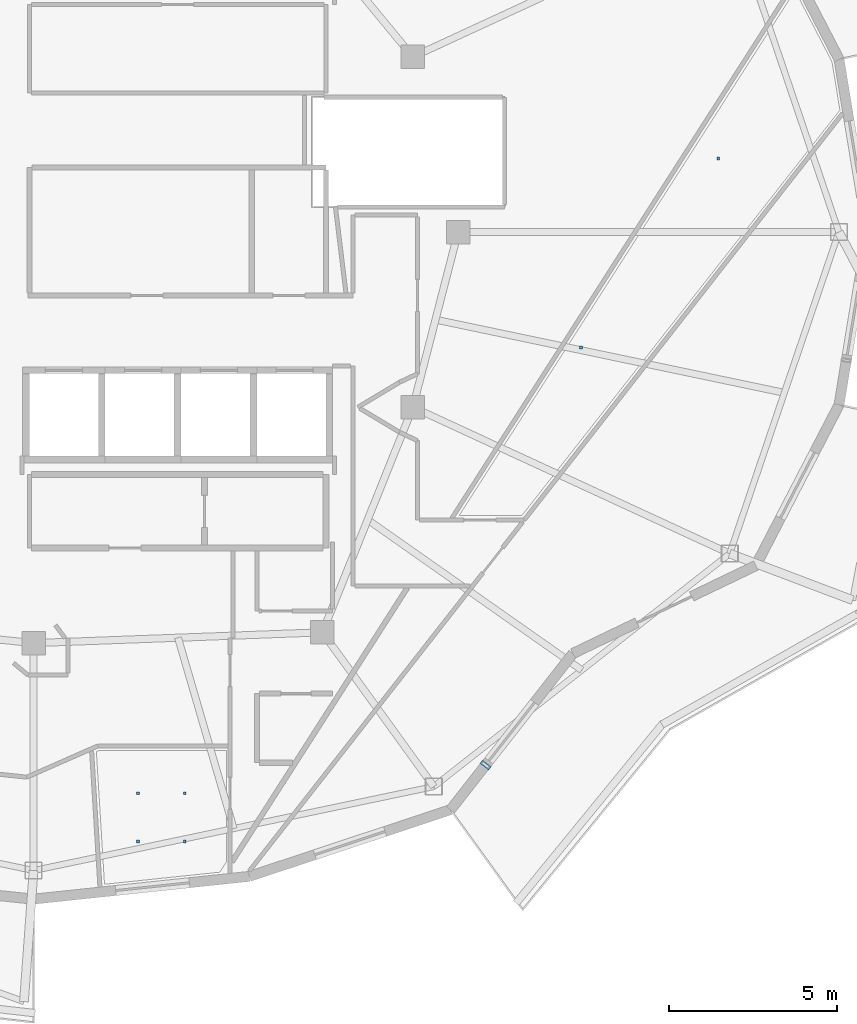
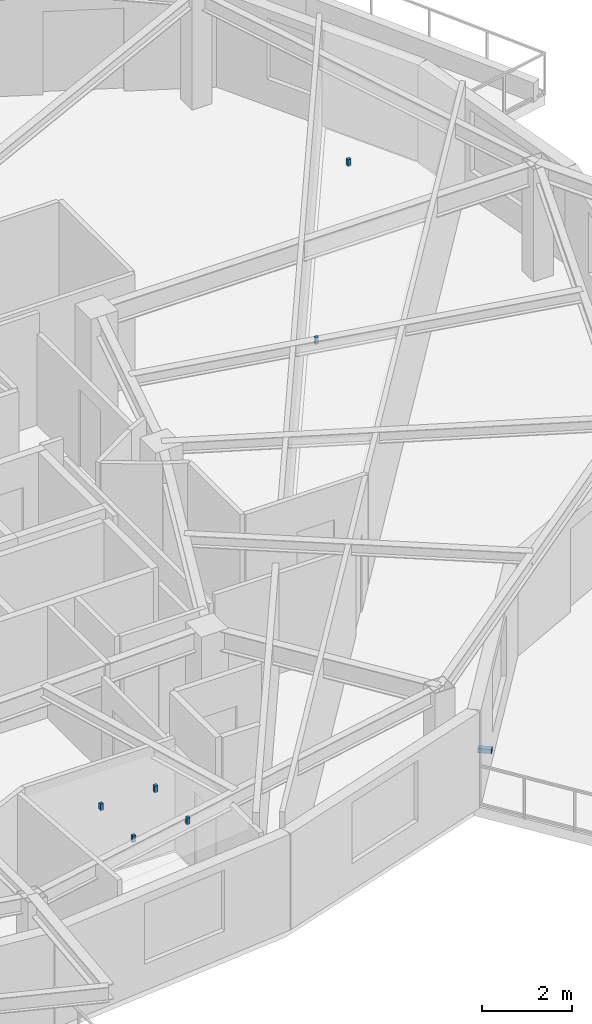
# One storey, part 8 of 14: 7 discrete accessories.
"""IFC4 building model written with IfcOpenShell, lengths in metres."""

from ifc_helpers import new_model, si_unit, direction, frame, origin, origin_2d, place, context, subcontext, project, spatial, rectangle, extrude, material, type_object, element, save


model = new_model("IFC4")

# Units and contexts
model_context = context("Model", 3, precision=1e-05, world=origin(), true_north=direction((0.0, 1.0)))
body_context = subcontext(model_context, "Body", "Model", "MODEL_VIEW")
ifc_project = project(units=[si_unit("LENGTHUNIT", "METRE"), si_unit("AREAUNIT", "SQUARE_METRE"), si_unit("VOLUMEUNIT", "CUBIC_METRE"), si_unit("PLANEANGLEUNIT", "RADIAN"), si_unit("MASSUNIT", "GRAM", prefix="KILO")], contexts=[model_context])

# Site, building, storey
site_placement = place(None, origin())
site = spatial("IfcSite", under=ifc_project, at=site_placement, CompositionType="ELEMENT")
building_placement = place(site_placement, origin())
building = spatial("IfcBuilding", under=site, at=building_placement, Name="Kolvaren Gate Tower and Convention Centre", CompositionType="ELEMENT")
storey_placement = place(building_placement, frame((0.0, 0.0, 209.60009765625)))
storey = spatial("IfcBuildingStorey", under=building, at=storey_placement, Name="L55", CompositionType="ELEMENT", Elevation=209.60009765625)

# Discrete accessories
ifc_material_1 = material(Name="Anodized Architectural Aluminium Alloy 6063-T6", Category="aluminium")
discrete_accessory_type_1 = type_object("IfcDiscreteAccessoryType", Name="ARCH-ACC-BRACKET-120", PredefinedType="BRACKET", material=ifc_material_1)
discrete_accessory_placement = place(storey_placement, frame((43.539306640625, 11.180419921875, 0.289794921875), z_axis=(0.0, 0.0, 1.0), x_axis=(0.616434119112, 0.787406487651, 0.0)))
element("IfcDiscreteAccessory", 1, at=discrete_accessory_placement, inside=storey, type_object=discrete_accessory_type_1, Name="Ceramic Fin Wall Anchor Bracket FBK-L55-20", PredefinedType="BRACKET", context=body_context, shape_type="SweptSolid", body=[
    extrude(rectangle(XDim=0.1201171875, YDim=0.320068359375, at=origin_2d()), origin(), (0.0, 0.0, 1.0), 0.1201171875),
])
ifc_material_2 = material(Name="Brushed Stainless Steel Grade 316L", Category="steel")
discrete_accessory_type_2 = type_object("IfcDiscreteAccessoryType", Name="ARCH-ACC-HANGER-80", PredefinedType="BRACKET", material=ifc_material_2)
for number, where, z_axis, x_axis, name in (
    (2, (33.221923828125, 8.912109375, 2.85009765625), (0.0, 0.0, 1.0), (1.0, 0.0, 0.0), "Apartment Bedroom (APT-L55-01) Ceiling Suspension Hanger Clip 1"),
    (3, (34.610107421875, 8.912109375, 2.85009765625), (0.0, 0.0, 1.0), (1.0, 0.0, 0.0), "Apartment Bedroom (APT-L55-01) Ceiling Suspension Hanger Clip 2"),
    (4, (33.221923828125, 10.340087890625, 2.85009765625), (0.0, 0.0, 1.0), (1.0, 0.0, 0.0), "Apartment Bedroom (APT-L55-01) Ceiling Suspension Hanger Clip 3"),
    (5, (34.610107421875, 10.340087890625, 2.85009765625), (0.0, 0.0, 1.0), (1.0, 0.0, 0.0), "Apartment Bedroom (APT-L55-01) Ceiling Suspension Hanger Clip 4"),
    (6, (46.373046875, 23.574951171875, 2.85009765625), (0.0, 0.0, 1.0), (1.0, 0.0, 0.0), "Resident Quiet Study Office Ceiling Suspension Hanger Clip 1"),
    (7, (50.44091796875, 29.18310546875, 2.85009765625), (0.0, 0.0, 1.0), (1.0, 0.0, 0.0), "Resident Quiet Study Office Ceiling Suspension Hanger Clip 2"),
):
    element("IfcDiscreteAccessory", number, at=place(storey_placement, frame(where, z_axis=z_axis, x_axis=x_axis)), inside=storey, type_object=discrete_accessory_type_2, Name=name, PredefinedType="BRACKET", context=body_context, shape_type="SweptSolid", body=[
        extrude(rectangle(XDim=0.080078125, YDim=0.080078125, at=origin_2d()), origin(), (0.0, 0.0, 1.0), 0.179931640625),
    ])

save(model, "model.ifc")
